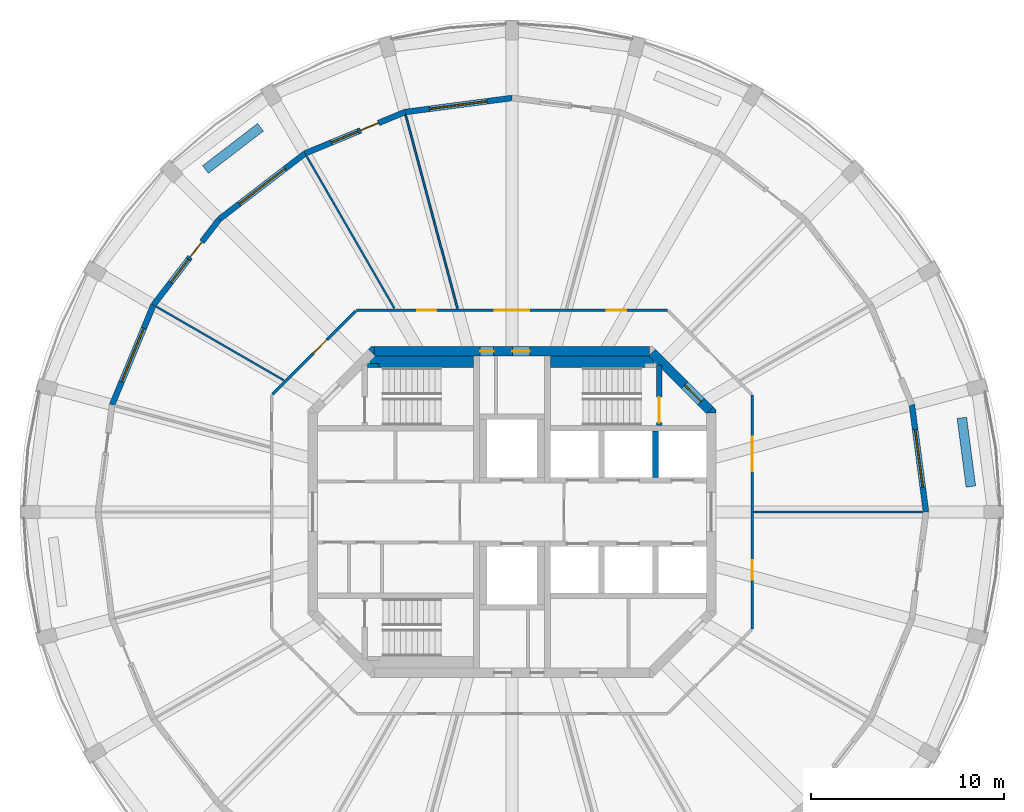
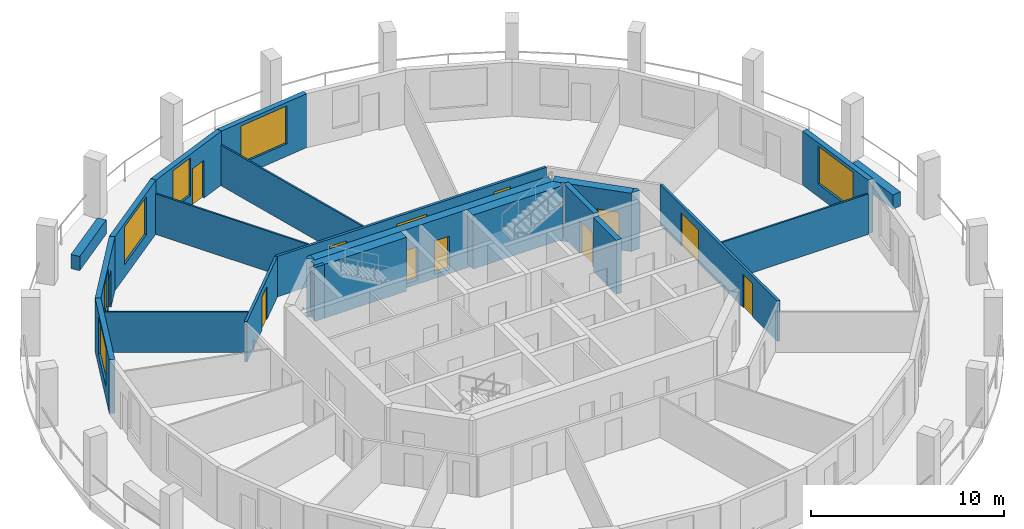
# One storey, part 5 of 8: 24 walls, 12 doors, 6 windows, 18 openings.
"""IFC4 building model written with IfcOpenShell, lengths in metres."""

from ifc_helpers import new_model, si_unit, direction, frame, frame_2d, origin, place, context, subcontext, project, spatial, polyline, rectangle, outline, extrude, material, layer, layer_set, type_object, element, fill, save


model = new_model("IFC4")

# Units and contexts
model_context = context("Model", 3, precision=1e-05, world=origin(), true_north=direction((0.0, 1.0)))
body_context = subcontext(model_context, "Body", "Model", "MODEL_VIEW")
ifc_project = project(units=[si_unit("LENGTHUNIT", "METRE"), si_unit("AREAUNIT", "SQUARE_METRE"), si_unit("VOLUMEUNIT", "CUBIC_METRE"), si_unit("PLANEANGLEUNIT", "RADIAN"), si_unit("MASSUNIT", "GRAM", prefix="KILO")], contexts=[model_context])

# Site, building, storey
site_placement = place(None, origin())
site = spatial("IfcSite", under=ifc_project, at=site_placement, CompositionType="ELEMENT")
building_placement = place(site_placement, origin())
building = spatial("IfcBuilding", under=site, at=building_placement, Name="Torre Triforio", CompositionType="ELEMENT")
storey_placement = place(building_placement, frame((0.0, 0.0, 283.39990234375)))
storey = spatial("IfcBuildingStorey", under=building, at=storey_placement, Name="L65", CompositionType="ELEMENT", Elevation=283.39990234375)

# Wall, openings, doors
ifc_material_1 = material(Name="Concrete C40", Category="concrete")
ifc_layer_1 = layer(ifc_material_1, 0.5)
ifc_layer_set_1 = layer_set([ifc_layer_1], Name="Concrete C40")
wall_type_1 = type_object("IfcWallType", Name="Core wall 500 mm C40 EI 120", PredefinedType="SHEAR", material=ifc_layer_set_1)
wall_1_placement = place(storey_placement, frame((-7.1298828125, 8.35009765625, -0.27978515625), z_axis=(0.0, 0.0, 1.0), x_axis=(1.0, 0.0, 0.0)))
wall_1 = element("IfcWall", 1, at=wall_1_placement, inside=storey, type_object=wall_type_1, Name="Core wall", PredefinedType="SHEAR", context=body_context, shape_type="SweptSolid", body=[
    extrude(rectangle(XDim=14.259765625, YDim=0.5, at=frame_2d((7.1298828125, 0.0))), origin(), (0.0, 0.0, 1.0), 3.699951171875),
])
opening_1_placement = place(wall_1_placement, frame((5.47998046875, 0.0, 0.280029296875)))
opening_1 = element("IfcOpeningElement", 2, at=opening_1_placement, cuts=wall_1, Name="Opening RISER-N", PredefinedType="OPENING", context=body_context, shape_type="SweptSolid", body=[
    extrude(rectangle(XDim=0.699951171875, YDim=2.10009765625, at=frame_2d((0.35009765625, 1.050048828125))), frame((0.0, 0.260009765625, 0.0), z_axis=(0.0, -1.0, 0.0), x_axis=(1.0, 0.0, 0.0)), (0.0, 0.0, 1.0), 0.52001953125),
])
opening_2_placement = place(wall_1_placement, frame((7.155029296875, 0.0, 0.280029296875)))
opening_2 = element("IfcOpeningElement", 3, at=opening_2_placement, cuts=wall_1, Name="Opening NE-01", PredefinedType="OPENING", context=body_context, shape_type="SweptSolid", body=[
    extrude(rectangle(XDim=0.89990234375, YDim=2.10009765625, at=frame_2d((0.449951171875, 1.050048828125))), frame((0.0, 0.260009765625, 0.0), z_axis=(0.0, -1.0, 0.0), x_axis=(1.0, 0.0, 0.0)), (0.0, 0.0, 1.0), 0.52001953125),
])
ifc_material_2 = material(Name="Hollow metal fire door leaf")
door_type_1 = type_object("IfcDoorType", Name="Riser door 700 x 2100 EI 60", OperationType="NOTDEFINED", PredefinedType="DOOR", material=ifc_material_2)
door_1_placement = place(opening_1_placement, origin())
door_1 = element("IfcDoor", 4, at=door_1_placement, inside=storey, type_object=door_type_1, Name="Core door RISER-N", OperationType="SINGLE_SWING_LEFT", OverallHeight=2.10009765625, OverallWidth=0.699951171875, PredefinedType="DOOR", context=body_context, shape_type="SweptSolid", body=[
    extrude(rectangle(XDim=0.699951171875, YDim=2.10009765625, at=frame_2d((0.35009765625, 1.050048828125))), frame((0.0, 0.02490234375, 0.0), z_axis=(0.0, -1.0, 0.0), x_axis=(1.0, 0.0, 0.0)), (0.0, 0.0, 1.0), 0.050048828125),
])
fill(opening_1, door_1)
door_type_2 = type_object("IfcDoorType", Name="Room door 900 x 2100 EI 60", OperationType="NOTDEFINED", PredefinedType="DOOR", material=ifc_material_2)
door_2_placement = place(opening_2_placement, origin())
door_2 = element("IfcDoor", 5, at=door_2_placement, inside=storey, type_object=door_type_2, Name="Core door NE-01", OperationType="SINGLE_SWING_RIGHT", OverallHeight=2.10009765625, OverallWidth=0.89990234375, PredefinedType="DOOR", context=body_context, shape_type="SweptSolid", body=[
    extrude(rectangle(XDim=0.89990234375, YDim=2.10009765625, at=frame_2d((0.449951171875, 1.050048828125))), frame((0.0, 0.02490234375, 0.0), z_axis=(0.0, -1.0, 0.0), x_axis=(1.0, 0.0, 0.0)), (0.0, 0.0, 1.0), 0.050048828125),
])
fill(opening_2, door_2)

# Wall, opening, door
wall_2_placement = place(storey_placement, frame((7.27685546875, 8.27685546875, -0.27978515625), z_axis=(0.0, 0.0, 1.0), x_axis=(0.707106781187, -0.707106781187, 0.0)))
wall_2 = element("IfcWall", 6, at=wall_2_placement, inside=storey, type_object=wall_type_1, Name="Core wall", PredefinedType="SHEAR", context=body_context, shape_type="SweptSolid", body=[
    extrude(rectangle(XDim=4.24267578125, YDim=0.5, at=frame_2d((2.121337890625, 0.0))), origin(), (0.0, 0.0, 1.0), 3.699951171875),
])
opening_3_placement = place(wall_2_placement, frame((2.392578125, 0.0, 0.280029296875)))
opening_3 = element("IfcOpeningElement", 7, at=opening_3_placement, cuts=wall_2, Name="Opening ST2-EXIT", PredefinedType="OPENING", context=body_context, shape_type="SweptSolid", body=[
    extrude(rectangle(XDim=1.199951171875, YDim=2.10009765625, at=frame_2d((0.60009765625, 1.050048828125))), frame((0.0, 0.260009765625, 0.0), z_axis=(0.0, -1.0, 0.0), x_axis=(1.0, 0.0, 0.0)), (0.0, 0.0, 1.0), 0.52001953125),
])
door_type_3 = type_object("IfcDoorType", Name="Stair lobby door 1200 x 2100 EI 60", OperationType="NOTDEFINED", PredefinedType="DOOR", material=ifc_material_2)
door_3_placement = place(opening_3_placement, origin())
door_3 = element("IfcDoor", 8, at=door_3_placement, inside=storey, type_object=door_type_3, Name="Core door ST2-EXIT", OperationType="SINGLE_SWING_RIGHT", OverallHeight=2.10009765625, OverallWidth=1.199951171875, PredefinedType="DOOR", context=body_context, shape_type="SweptSolid", body=[
    extrude(rectangle(XDim=1.199951171875, YDim=2.10009765625, at=frame_2d((0.60009765625, 1.050048828125))), frame((0.0, 0.02490234375, 0.0), z_axis=(0.0, -1.0, 0.0), x_axis=(1.0, 0.0, 0.0)), (0.0, 0.0, 1.0), 0.050048828125),
])
fill(opening_3, door_3)

# Walls
wall_3_placement = place(storey_placement, frame((0.0, 0.0, -0.27978515625)))
element("IfcWall", 9, at=wall_3_placement, inside=storey, type_object=wall_type_1, Name="Core wall", PredefinedType="SHEAR", context=body_context, shape_type="SweptSolid", body=[
    extrude(outline(polyline([(10.60009765625, 5.30712890625), (10.60009765625, 5.1298828125), (10.1298828125, 5.1298828125), (10.45361328125, 5.45361328125), (10.60009765625, 5.30712890625)])), origin(), (0.0, 0.0, 1.0), 3.699951171875),
])
wall_4_placement = place(storey_placement, frame((0.0, 0.0, -0.27978515625)))
element("IfcWall", 10, at=wall_4_placement, inside=storey, type_object=wall_type_1, Name="Core wall", PredefinedType="SHEAR", context=body_context, shape_type="SweptSolid", body=[
    extrude(outline(polyline([(-7.30712890625, 8.60009765625), (-7.1298828125, 8.60009765625), (-7.1298828125, 8.1298828125), (-7.45361328125, 8.45361328125), (-7.30712890625, 8.60009765625)])), origin(), (0.0, 0.0, 1.0), 3.699951171875),
])

# Wall, opening, door
ifc_material_3 = material(Name="Plasterboard on metal studs")
ifc_layer_2 = layer(ifc_material_3, 0.14990234375)
ifc_layer_set_2 = layer_set([ifc_layer_2], Name="Plasterboard on metal studs")
wall_type_2 = type_object("IfcWallType", Name="Corridor and tenancy wall 150 mm EI 60", PredefinedType="PARTITIONING", material=ifc_layer_set_2)
wall_5_placement = place(storey_placement, frame((-12.43798828125, 6.120849609375, 0.0), z_axis=(0.0, 0.0, 1.0), x_axis=(0.707106781187, 0.707106781187, 0.0)))
wall_5 = element("IfcWall", 11, at=wall_5_placement, inside=storey, type_object=wall_type_2, Name="Partition 5", PredefinedType="PARTITIONING", context=body_context, shape_type="SweptSolid", body=[
    extrude(rectangle(XDim=6.10546875, YDim=0.14990234375, at=frame_2d((3.052734375, 0.0))), origin(), (0.0, 0.0, 1.0), 2.570068359375),
])
opening_4_placement = place(wall_5_placement, frame((3.001953125, 0.0, 0.0)))
opening_4 = element("IfcOpeningElement", 12, at=opening_4_placement, cuts=wall_5, Name="Opening X1-08", PredefinedType="OPENING", context=body_context, shape_type="SweptSolid", body=[
    extrude(rectangle(XDim=1.0, YDim=2.10009765625, at=frame_2d((0.5, 1.050048828125))), frame((0.0, 0.0849609375, 0.0), z_axis=(0.0, -1.0, 0.0), x_axis=(1.0, 0.0, 0.0)), (0.0, 0.0, 1.0), 0.169921875),
])
ifc_material_4 = material(Name="Timber", Category="wood")
door_type_4 = type_object("IfcDoorType", Name="Door 1000 x 2100 single leaf EI 30", OperationType="NOTDEFINED", PredefinedType="DOOR", material=ifc_material_4)
door_4_placement = place(opening_4_placement, origin())
door_4 = element("IfcDoor", 13, at=door_4_placement, inside=storey, type_object=door_type_4, Name="Door X1-08", OperationType="SINGLE_SWING_LEFT", OverallHeight=2.10009765625, OverallWidth=1.0, PredefinedType="DOOR", context=body_context, shape_type="SweptSolid", body=[
    extrude(rectangle(XDim=1.0, YDim=2.10009765625, at=frame_2d((0.5, 1.050048828125))), frame((0.0, 0.02490234375, 0.0), z_axis=(0.0, -1.0, 0.0), x_axis=(1.0, 0.0, 0.0)), (0.0, 0.0, 1.0), 0.050048828125),
])
fill(opening_4, door_4)

# Wall, openings, doors
wall_6_placement = place(storey_placement, frame((-8.083740234375, 10.47509765625, 0.0), z_axis=(0.0, 0.0, 1.0), x_axis=(1.0, 0.0, 0.0)))
wall_6 = element("IfcWall", 14, at=wall_6_placement, inside=storey, type_object=wall_type_2, Name="Partition 6", PredefinedType="PARTITIONING", context=body_context, shape_type="SweptSolid", body=[
    extrude(rectangle(XDim=16.16748046875, YDim=0.14990234375, at=frame_2d((8.083740234375, 0.0))), origin(), (0.0, 0.0, 1.0), 2.570068359375),
])
opening_5_placement = place(wall_6_placement, frame((13.00390625, 0.0, 0.0)))
opening_5 = element("IfcOpeningElement", 15, at=opening_5_placement, cuts=wall_6, Name="Opening X1-05", PredefinedType="OPENING", context=body_context, shape_type="SweptSolid", body=[
    extrude(rectangle(XDim=1.0, YDim=2.10009765625, at=frame_2d((0.5, 1.050048828125))), frame((0.0, 0.0849609375, 0.0), z_axis=(0.0, -1.0, 0.0), x_axis=(1.0, 0.0, 0.0)), (0.0, 0.0, 1.0), 0.169921875),
])
opening_6_placement = place(wall_6_placement, frame((7.183837890625, 0.0, 0.0)))
opening_6 = element("IfcOpeningElement", 16, at=opening_6_placement, cuts=wall_6, Name="Opening X1-06", PredefinedType="OPENING", context=body_context, shape_type="SweptSolid", body=[
    extrude(rectangle(XDim=1.800048828125, YDim=2.10009765625, at=frame_2d((0.89990234375, 1.050048828125))), frame((0.0, 0.0849609375, 0.0), z_axis=(0.0, -1.0, 0.0), x_axis=(1.0, 0.0, 0.0)), (0.0, 0.0, 1.0), 0.169921875),
])
opening_7_placement = place(wall_6_placement, frame((3.152587890625, 0.0, 0.0)))
opening_7 = element("IfcOpeningElement", 17, at=opening_7_placement, cuts=wall_6, Name="Opening X1-07", PredefinedType="OPENING", context=body_context, shape_type="SweptSolid", body=[
    extrude(rectangle(XDim=1.0, YDim=2.10009765625, at=frame_2d((0.5, 1.050048828125))), frame((0.0, 0.0849609375, 0.0), z_axis=(0.0, -1.0, 0.0), x_axis=(1.0, 0.0, 0.0)), (0.0, 0.0, 1.0), 0.169921875),
])
door_5_placement = place(opening_5_placement, origin())
door_5 = element("IfcDoor", 18, at=door_5_placement, inside=storey, type_object=door_type_4, Name="Door X1-05", OperationType="SINGLE_SWING_LEFT", OverallHeight=2.10009765625, OverallWidth=1.0, PredefinedType="DOOR", context=body_context, shape_type="SweptSolid", body=[
    extrude(rectangle(XDim=1.0, YDim=2.10009765625, at=frame_2d((0.5, 1.050048828125))), frame((0.0, 0.02490234375, 0.0), z_axis=(0.0, -1.0, 0.0), x_axis=(1.0, 0.0, 0.0)), (0.0, 0.0, 1.0), 0.050048828125),
])
fill(opening_5, door_5)
door_6_placement = place(opening_7_placement, origin())
door_6 = element("IfcDoor", 19, at=door_6_placement, inside=storey, type_object=door_type_4, Name="Door X1-07", OperationType="SINGLE_SWING_LEFT", OverallHeight=2.10009765625, OverallWidth=1.0, PredefinedType="DOOR", context=body_context, shape_type="SweptSolid", body=[
    extrude(rectangle(XDim=1.0, YDim=2.10009765625, at=frame_2d((0.5, 1.050048828125))), frame((0.0, 0.02490234375, 0.0), z_axis=(0.0, -1.0, 0.0), x_axis=(1.0, 0.0, 0.0)), (0.0, 0.0, 1.0), 0.050048828125),
])
fill(opening_7, door_6)
door_type_5 = type_object("IfcDoorType", Name="Door 1800 x 2100 double leaf EI 30", OperationType="DOUBLE_DOOR_SINGLE_SWING", PredefinedType="DOOR", material=ifc_material_4)
door_7_placement = place(opening_6_placement, origin())
door_7 = element("IfcDoor", 20, at=door_7_placement, inside=storey, type_object=door_type_5, Name="Door X1-06", OperationType="DOUBLE_DOOR_SINGLE_SWING", OverallHeight=2.10009765625, OverallWidth=1.800048828125, PredefinedType="DOOR", context=body_context, shape_type="SweptSolid", body=[
    extrude(rectangle(XDim=1.800048828125, YDim=2.10009765625, at=frame_2d((0.89990234375, 1.050048828125))), frame((0.0, 0.02490234375, 0.0), z_axis=(0.0, -1.0, 0.0), x_axis=(1.0, 0.0, 0.0)), (0.0, 0.0, 1.0), 0.050048828125),
])
fill(opening_6, door_7)

wall_7_placement = place(storey_placement, frame((12.47509765625, 6.083740234375, 0.0), z_axis=(0.0, 0.0, 1.0), x_axis=(0.0, -1.0, 0.0)))
wall_7 = element("IfcWall", 21, at=wall_7_placement, inside=storey, type_object=wall_type_2, Name="Partition 8", PredefinedType="PARTITIONING", context=body_context, shape_type="SweptSolid", body=[
    extrude(rectangle(XDim=12.16748046875, YDim=0.14990234375, at=frame_2d((6.083740234375, 0.0))), origin(), (0.0, 0.0, 1.0), 2.570068359375),
])
opening_8_placement = place(wall_7_placement, frame((8.6005859375, 0.0, 0.0)))
opening_8 = element("IfcOpeningElement", 22, at=opening_8_placement, cuts=wall_7, Name="Opening X1-02", PredefinedType="OPENING", context=body_context, shape_type="SweptSolid", body=[
    extrude(rectangle(XDim=1.0, YDim=2.10009765625, at=frame_2d((0.5, 1.050048828125))), frame((0.0, 0.0849609375, 0.0), z_axis=(0.0, -1.0, 0.0), x_axis=(1.0, 0.0, 0.0)), (0.0, 0.0, 1.0), 0.169921875),
])
opening_9_placement = place(wall_7_placement, frame((2.1669921875, 0.0, 0.0)))
opening_9 = element("IfcOpeningElement", 23, at=opening_9_placement, cuts=wall_7, Name="Opening X1-03", PredefinedType="OPENING", context=body_context, shape_type="SweptSolid", body=[
    extrude(rectangle(XDim=1.800048828125, YDim=2.10009765625, at=frame_2d((0.89990234375, 1.050048828125))), frame((0.0, 0.0849609375, 0.0), z_axis=(0.0, -1.0, 0.0), x_axis=(1.0, 0.0, 0.0)), (0.0, 0.0, 1.0), 0.169921875),
])
door_8_placement = place(opening_8_placement, origin())
door_8 = element("IfcDoor", 24, at=door_8_placement, inside=storey, type_object=door_type_4, Name="Door X1-02", OperationType="SINGLE_SWING_LEFT", OverallHeight=2.10009765625, OverallWidth=1.0, PredefinedType="DOOR", context=body_context, shape_type="SweptSolid", body=[
    extrude(rectangle(XDim=1.0, YDim=2.10009765625, at=frame_2d((0.5, 1.050048828125))), frame((0.0, 0.02490234375, 0.0), z_axis=(0.0, -1.0, 0.0), x_axis=(1.0, 0.0, 0.0)), (0.0, 0.0, 1.0), 0.050048828125),
])
fill(opening_8, door_8)
door_9_placement = place(opening_9_placement, origin())
door_9 = element("IfcDoor", 25, at=door_9_placement, inside=storey, type_object=door_type_5, Name="Door X1-03", OperationType="DOUBLE_DOOR_SINGLE_SWING", OverallHeight=2.10009765625, OverallWidth=1.800048828125, PredefinedType="DOOR", context=body_context, shape_type="SweptSolid", body=[
    extrude(rectangle(XDim=1.800048828125, YDim=2.10009765625, at=frame_2d((0.89990234375, 1.050048828125))), frame((0.0, 0.02490234375, 0.0), z_axis=(0.0, -1.0, 0.0), x_axis=(1.0, 0.0, 0.0)), (0.0, 0.0, 1.0), 0.050048828125),
])
fill(opening_9, door_9)

# Walls
ifc_layer_3 = layer(ifc_material_3, 0.10009765625)
ifc_layer_set_3 = layer_set([ifc_layer_3], Name="Plasterboard on metal studs")
wall_type_3 = type_object("IfcWallType", Name="Partition 100 mm board on metal studs", PredefinedType="PARTITIONING", material=ifc_layer_set_3)
wall_8_placement = place(storey_placement, frame((12.550048828125, 0.0, 0.0), z_axis=(0.0, 0.0, 1.0), x_axis=(1.0, 0.0, 0.0)))
element("IfcWall", 26, at=wall_8_placement, inside=storey, type_object=wall_type_3, Name="Partition 9", PredefinedType="PARTITIONING", context=body_context, shape_type="SweptSolid", body=[
    extrude(rectangle(XDim=8.78662109375, YDim=0.10009765625, at=frame_2d((4.393310546875, 0.0))), origin(), (0.0, 0.0, 1.0), 2.570068359375),
])
wall_9_placement = place(storey_placement, frame((-2.830810546875, 10.564208984375, 0.0), z_axis=(0.0, 0.0, 1.0), x_axis=(-0.258796321138, 0.965931914871, 0.0)))
element("IfcWall", 27, at=wall_9_placement, inside=storey, type_object=wall_type_3, Name="Partition 13", PredefinedType="PARTITIONING", context=body_context, shape_type="SweptSolid", body=[
    extrude(rectangle(XDim=10.399658203125, YDim=0.10009765625, at=frame_2d((5.19970703125, 0.0))), origin(), (0.0, 0.0, 1.0), 2.570068359375),
])
wall_10_placement = place(storey_placement, frame((-6.105224609375, 10.57470703125, 0.0), z_axis=(0.0, 0.0, 1.0), x_axis=(-0.500020406621, 0.866013621696, 0.0)))
element("IfcWall", 28, at=wall_10_placement, inside=storey, type_object=wall_type_3, Name="Partition 14", PredefinedType="PARTITIONING", context=body_context, shape_type="SweptSolid", body=[
    extrude(rectangle(XDim=9.1259765625, YDim=0.10009765625, at=frame_2d((4.56298828125, 0.0))), origin(), (0.0, 0.0, 1.0), 2.570068359375),
])
wall_11_placement = place(storey_placement, frame((-11.845947265625, 6.839111328125, 0.0), z_axis=(0.0, 0.0, 1.0), x_axis=(-0.866007734672, 0.500030602552, 0.0)))
element("IfcWall", 29, at=wall_11_placement, inside=storey, type_object=wall_type_3, Name="Partition 15", PredefinedType="PARTITIONING", context=body_context, shape_type="SweptSolid", body=[
    extrude(rectangle(XDim=7.658203125, YDim=0.10009765625, at=frame_2d((3.8291015625, 0.0))), origin(), (0.0, 0.0, 1.0), 2.570068359375),
])
ifc_material_5 = material(Name="Limestone cladding", Category="masonry")
ifc_layer_4 = layer(ifc_material_5, 0.10009765625)
ifc_layer_5 = layer(ifc_material_1, 0.39990234375)
ifc_layer_set_4 = layer_set([ifc_layer_4, ifc_layer_5], Name="Limestone cladding / Concrete C40")
wall_type_4 = type_object("IfcWallType", Name="Planter wall 500", PredefinedType="PARAPET", material=ifc_layer_set_4)
for number, where, z_axis, x_axis, name in (
    (30, (23.831298828125, 1.322021484375, 0.0), (0.0, 0.0, 1.0), (-0.130551000099, 0.991441595039, 0.0), "Planter L65 bay 01"),
    (31, (-13.060546875, 19.9775390625, 0.0), (0.0, 0.0, 1.0), (-0.793326845617, -0.608795955984, 0.0), "Planter L65 bay 09"),
):
    element("IfcWall", number, at=place(storey_placement, frame(where, z_axis=z_axis, x_axis=x_axis)), inside=storey, type_object=wall_type_4, Name=name, PredefinedType="PARAPET", context=body_context, shape_type="SweptSolid", body=[
        extrude(rectangle(XDim=3.599853515625, YDim=0.5, at=frame_2d((1.7998046875, 0.0))), origin(), (0.0, 0.0, 1.0), 0.900146484375),
    ])
ifc_layer_6 = layer(ifc_material_1, 0.300048828125)
ifc_layer_set_5 = layer_set([ifc_layer_6], Name="Concrete C40")
wall_type_5 = type_object("IfcWallType", Name="Shaft wall 300 mm C40 EI 120", PredefinedType="SOLIDWALL", material=ifc_layer_set_5)
wall_12_placement = place(storey_placement, frame((7.449951171875, 1.800048828125, 0.0), z_axis=(0.0, 0.0, 1.0), x_axis=(0.0, 1.0, 0.0)))
element("IfcWall", 32, at=wall_12_placement, inside=storey, type_object=wall_type_5, Name="Shaft wall", PredefinedType="SOLIDWALL", context=body_context, shape_type="SweptSolid", body=[
    extrude(rectangle(XDim=2.39990234375, YDim=0.300048828125, at=frame_2d((1.199951171875, 0.0))), origin(), (0.0, 0.0, 1.0), 3.420166015625),
])
ifc_layer_7 = layer(ifc_material_1, 0.199951171875)
ifc_layer_set_6 = layer_set([ifc_layer_7], Name="Concrete C40")
wall_type_6 = type_object("IfcWallType", Name="Stair wall 200 mm C40 EI 120", PredefinedType="SHEAR", material=ifc_layer_set_6)
wall_13_placement = place(storey_placement, frame((-7.5, 7.60009765625, 0.0), z_axis=(0.0, 0.0, 1.0), x_axis=(1.0, 0.0, 0.0)))
element("IfcWall", 33, at=wall_13_placement, inside=storey, type_object=wall_type_6, Name="Stair wall", PredefinedType="SHEAR", context=body_context, shape_type="SweptSolid", body=[
    extrude(rectangle(XDim=0.60009765625, YDim=0.199951171875, at=frame_2d((0.300048828125, 0.0))), origin(), (0.0, 0.0, 1.0), 3.420166015625),
])

# Wall, opening, door
ifc_layer_8 = layer(ifc_material_1, 0.300048828125)
ifc_layer_set_7 = layer_set([ifc_layer_8], Name="Concrete C40")
wall_type_7 = type_object("IfcWallType", Name="Stair wall 300 mm C40 EI 120", PredefinedType="SHEAR", material=ifc_layer_set_7)
wall_14_placement = place(storey_placement, frame((7.64990234375, 4.5, 0.0), z_axis=(0.0, 0.0, 1.0), x_axis=(0.0, 1.0, 0.0)))
wall_14 = element("IfcWall", 34, at=wall_14_placement, inside=storey, type_object=wall_type_7, Name="Stair wall", PredefinedType="SHEAR", context=body_context, shape_type="SweptSolid", body=[
    extrude(rectangle(XDim=3.139892578125, YDim=0.300048828125, at=frame_2d((1.56982421875, 0.0))), origin(), (0.0, 0.0, 1.0), 3.420166015625),
])
opening_10_placement = place(wall_14_placement, frame((0.139892578125, 0.0, 0.0)))
opening_10 = element("IfcOpeningElement", 35, at=opening_10_placement, cuts=wall_14, Name="Opening ST2-STA", PredefinedType="OPENING", context=body_context, shape_type="SweptSolid", body=[
    extrude(rectangle(XDim=1.320068359375, YDim=2.10009765625, at=frame_2d((0.66015625, 1.050048828125))), frame((0.0, 0.159912109375, 0.0), z_axis=(0.0, -1.0, 0.0), x_axis=(1.0, 0.0, 0.0)), (0.0, 0.0, 1.0), 0.320068359375),
])
door_type_6 = type_object("IfcDoorType", Name="Stair door 1320 x 2100 EI 90", OperationType="DOUBLE_DOOR_SINGLE_SWING", PredefinedType="DOOR", material=ifc_material_2)
door_10_placement = place(opening_10_placement, origin())
door_10 = element("IfcDoor", 36, at=door_10_placement, inside=storey, type_object=door_type_6, Name="Core door ST2-ST", OperationType="DOUBLE_DOOR_SINGLE_SWING", OverallHeight=2.10009765625, OverallWidth=1.320068359375, PredefinedType="DOOR", context=body_context, shape_type="SweptSolid", body=[
    extrude(rectangle(XDim=1.320068359375, YDim=2.10009765625, at=frame_2d((0.66015625, 1.050048828125))), frame((0.0, 0.02490234375, 0.0), z_axis=(0.0, -1.0, 0.0), x_axis=(1.0, 0.0, 0.0)), (0.0, 0.0, 1.0), 0.050048828125),
])
fill(opening_10, door_10)

# Walls
ifc_layer_9 = layer(ifc_material_1, 0.60009765625)
ifc_layer_set_8 = layer_set([ifc_layer_9], Name="Concrete C40")
wall_type_8 = type_object("IfcWallType", Name="Stair wall 600 mm C40 EI 120", PredefinedType="SHEAR", material=ifc_layer_set_8)
for number, where, z_axis, x_axis, name in (
    (37, (-7.3701171875, 7.800048828125, 0.0), (0.0, 0.0, 1.0), (1.0, 0.0, 0.0), "Stair wall"),
    (38, (2.0, 7.800048828125, 0.0), (0.0, 0.0, 1.0), (1.0, 0.0, 0.0), "Stair wall"),
):
    element("IfcWall", number, at=place(storey_placement, frame(where, z_axis=z_axis, x_axis=x_axis)), inside=storey, type_object=wall_type_8, Name=name, PredefinedType="SHEAR", context=body_context, shape_type="SweptSolid", body=[
        extrude(rectangle(XDim=5.3701171875, YDim=0.60009765625, at=frame_2d((2.68505859375, 0.0))), origin(), (0.0, 0.0, 1.0), 3.420166015625),
    ])

# Wall, opening, window
ifc_layer_10 = layer(ifc_material_5, 0.10009765625)
ifc_layer_11 = layer(ifc_material_1, 0.199951171875)
ifc_layer_set_9 = layer_set([ifc_layer_10, ifc_layer_11], Name="Limestone cladding / Concrete C40")
wall_type_9 = type_object("IfcWallType", Name="Stone-faced composite wall 300", PredefinedType="STANDARD", material=ifc_layer_set_9)
wall_15_placement = place(storey_placement, frame((21.5, 0.0, 0.0), z_axis=(0.0, 0.0, 1.0), x_axis=(-0.130536651449, 0.991443484334, 0.0)))
wall_15 = element("IfcWall", 39, at=wall_15_placement, inside=storey, type_object=wall_type_9, Name="External wall L65 bay 01", PredefinedType="STANDARD", context=body_context, shape_type="SweptSolid", body=[
    extrude(rectangle(XDim=5.61279296875, YDim=0.300048828125, at=frame_2d((2.806396484375, 0.0))), origin(), (0.0, 0.0, 1.0), 3.420166015625),
])
opening_11_placement = place(wall_15_placement, frame((1.306396484375, 0.0, 0.800048828125)))
opening_11 = element("IfcOpeningElement", 40, at=opening_11_placement, cuts=wall_15, Name="Opening X1-W01", PredefinedType="OPENING", context=body_context, shape_type="SweptSolid", body=[
    extrude(rectangle(XDim=3.0, YDim=2.39990234375, at=frame_2d((1.5, 1.199951171875))), frame((0.0, 0.159912109375, 0.0), z_axis=(0.0, -1.0, 0.0), x_axis=(1.0, 0.0, 0.0)), (0.0, 0.0, 1.0), 0.320068359375),
])
ifc_material_6 = material(Name="Aluminium frame with clear double glazing", Category="aluminium")
window_type_1 = type_object("IfcWindowType", Name="Punched window 3000 x 2400", PartitioningType="DOUBLE_PANEL_VERTICAL", PredefinedType="WINDOW", material=ifc_material_6)
window_1_placement = place(opening_11_placement, origin())
window_1 = element("IfcWindow", 41, at=window_1_placement, inside=storey, type_object=window_type_1, Name="Window EWN6 L65 bay 01", OverallHeight=2.39990234375, OverallWidth=3.0, PartitioningType="SINGLE_PANEL", PredefinedType="WINDOW", context=body_context, shape_type="SweptSolid", body=[
    extrude(rectangle(XDim=3.0, YDim=2.39990234375, at=frame_2d((1.5, 1.199951171875))), frame((0.0, 0.030029296875, 0.0), z_axis=(0.0, -1.0, 0.0), x_axis=(1.0, 0.0, 0.0)), (0.0, 0.0, 1.0), 0.06005859375),
])
fill(opening_11, window_1)

wall_16_placement = place(storey_placement, frame((0.0, 21.5, 0.0), z_axis=(0.0, 0.0, 1.0), x_axis=(-0.991443484334, -0.130536651449, 0.0)))
wall_16 = element("IfcWall", 42, at=wall_16_placement, inside=storey, type_object=wall_type_9, Name="External wall L65 bay 07", PredefinedType="STANDARD", context=body_context, shape_type="SweptSolid", body=[
    extrude(rectangle(XDim=5.61279296875, YDim=0.300048828125, at=frame_2d((2.806396484375, 0.0))), origin(), (0.0, 0.0, 1.0), 3.420166015625),
])
opening_12_placement = place(wall_16_placement, frame((1.306396484375, 0.0, 0.800048828125)))
opening_12 = element("IfcOpeningElement", 43, at=opening_12_placement, cuts=wall_16, Name="Opening X1-W07", PredefinedType="OPENING", context=body_context, shape_type="SweptSolid", body=[
    extrude(rectangle(XDim=3.0, YDim=2.39990234375, at=frame_2d((1.5, 1.199951171875))), frame((0.0, 0.159912109375, 0.0), z_axis=(0.0, -1.0, 0.0), x_axis=(1.0, 0.0, 0.0)), (0.0, 0.0, 1.0), 0.320068359375),
])
window_2_placement = place(opening_12_placement, origin())
window_2 = element("IfcWindow", 44, at=window_2_placement, inside=storey, type_object=window_type_1, Name="Window EWN6 L65 bay 07", OverallHeight=2.39990234375, OverallWidth=3.0, PartitioningType="SINGLE_PANEL", PredefinedType="WINDOW", context=body_context, shape_type="SweptSolid", body=[
    extrude(rectangle(XDim=3.0, YDim=2.39990234375, at=frame_2d((1.5, 1.199951171875))), frame((0.0, 0.030029296875, 0.0), z_axis=(0.0, -1.0, 0.0), x_axis=(1.0, 0.0, 0.0)), (0.0, 0.0, 1.0), 0.06005859375),
])
fill(opening_12, window_2)

# Wall, openings, door, window
wall_17_placement = place(storey_placement, frame((-5.564697265625, 20.767333984375, 0.0), z_axis=(0.0, 0.0, 1.0), x_axis=(-0.92387156362, -0.382702670405, 0.0)))
wall_17 = element("IfcWall", 45, at=wall_17_placement, inside=storey, type_object=wall_type_9, Name="External wall L65 bay 08", PredefinedType="STANDARD", context=body_context, shape_type="SweptSolid", body=[
    extrude(rectangle(XDim=5.612548828125, YDim=0.300048828125, at=frame_2d((2.80615234375, 0.0))), origin(), (0.0, 0.0, 1.0), 3.420166015625),
])
opening_13_placement = place(wall_17_placement, frame((1.481201171875, 0.0, 0.0)))
opening_13 = element("IfcOpeningElement", 46, at=opening_13_placement, cuts=wall_17, Name="Opening X1-D08", PredefinedType="OPENING", context=body_context, shape_type="SweptSolid", body=[
    extrude(rectangle(XDim=1.0, YDim=2.39990234375, at=frame_2d((0.5, 1.199951171875))), frame((0.0, 0.159912109375, 0.0), z_axis=(0.0, -1.0, 0.0), x_axis=(1.0, 0.0, 0.0)), (0.0, 0.0, 1.0), 0.320068359375),
])
opening_14_placement = place(wall_17_placement, frame((2.63134765625, 0.0, 0.800048828125)))
opening_14 = element("IfcOpeningElement", 47, at=opening_14_placement, cuts=wall_17, Name="Opening X1-W08A", PredefinedType="OPENING", context=body_context, shape_type="SweptSolid", body=[
    extrude(rectangle(XDim=1.5, YDim=2.39990234375, at=frame_2d((0.75, 1.199951171875))), frame((0.0, 0.159912109375, 0.0), z_axis=(0.0, -1.0, 0.0), x_axis=(1.0, 0.0, 0.0)), (0.0, 0.0, 1.0), 0.320068359375),
])
door_type_7 = type_object("IfcDoorType", Name="Loggia door 1000 x 2400", OperationType="NOTDEFINED", PredefinedType="DOOR", material=ifc_material_6)
door_11_placement = place(opening_13_placement, origin())
door_11 = element("IfcDoor", 48, at=door_11_placement, inside=storey, type_object=door_type_7, Name="Loggia door L65 bay 08", OperationType="SINGLE_SWING_LEFT", OverallHeight=2.39990234375, OverallWidth=1.0, PredefinedType="DOOR", context=body_context, shape_type="SweptSolid", body=[
    extrude(rectangle(XDim=1.0, YDim=2.39990234375, at=frame_2d((0.5, 1.199951171875))), frame((0.0, 0.02490234375, 0.0), z_axis=(0.0, -1.0, 0.0), x_axis=(1.0, 0.0, 0.0)), (0.0, 0.0, 1.0), 0.050048828125),
])
fill(opening_13, door_11)
window_type_2 = type_object("IfcWindowType", Name="Side window 1500 x 2400", PartitioningType="SINGLE_PANEL", PredefinedType="WINDOW", material=ifc_material_6)
window_3_placement = place(opening_14_placement, origin())
window_3 = element("IfcWindow", 49, at=window_3_placement, inside=storey, type_object=window_type_2, Name="Side window EWN14 L65 bay 08", OverallHeight=2.39990234375, OverallWidth=1.5, PartitioningType="SINGLE_PANEL", PredefinedType="WINDOW", context=body_context, shape_type="SweptSolid", body=[
    extrude(rectangle(XDim=1.5, YDim=2.39990234375, at=frame_2d((0.75, 1.199951171875))), frame((0.0, 0.030029296875, 0.0), z_axis=(0.0, -1.0, 0.0), x_axis=(1.0, 0.0, 0.0)), (0.0, 0.0, 1.0), 0.06005859375),
])
fill(opening_14, window_3)

# Wall, opening, window
wall_18_placement = place(storey_placement, frame((-10.75, 18.619384765625, 0.0), z_axis=(0.0, 0.0, 1.0), x_axis=(-0.793380165925, -0.608726467567, 0.0)))
wall_18 = element("IfcWall", 50, at=wall_18_placement, inside=storey, type_object=wall_type_9, Name="External wall L65 bay 09", PredefinedType="STANDARD", context=body_context, shape_type="SweptSolid", body=[
    extrude(rectangle(XDim=5.612548828125, YDim=0.300048828125, at=frame_2d((2.80615234375, 0.0))), origin(), (0.0, 0.0, 1.0), 3.420166015625),
])
opening_15_placement = place(wall_18_placement, frame((1.306396484375, 0.0, 0.800048828125)))
opening_15 = element("IfcOpeningElement", 51, at=opening_15_placement, cuts=wall_18, Name="Opening X1-W09", PredefinedType="OPENING", context=body_context, shape_type="SweptSolid", body=[
    extrude(rectangle(XDim=3.0, YDim=2.39990234375, at=frame_2d((1.5, 1.199951171875))), frame((0.0, 0.159912109375, 0.0), z_axis=(0.0, -1.0, 0.0), x_axis=(1.0, 0.0, 0.0)), (0.0, 0.0, 1.0), 0.320068359375),
])
window_4_placement = place(opening_15_placement, origin())
window_4 = element("IfcWindow", 52, at=window_4_placement, inside=storey, type_object=window_type_1, Name="Window EWN6 L65 bay 09", OverallHeight=2.39990234375, OverallWidth=3.0, PartitioningType="SINGLE_PANEL", PredefinedType="WINDOW", context=body_context, shape_type="SweptSolid", body=[
    extrude(rectangle(XDim=3.0, YDim=2.39990234375, at=frame_2d((1.5, 1.199951171875))), frame((0.0, 0.030029296875, 0.0), z_axis=(0.0, -1.0, 0.0), x_axis=(1.0, 0.0, 0.0)), (0.0, 0.0, 1.0), 0.06005859375),
])
fill(opening_15, window_4)

# Wall, openings, door, window
wall_19_placement = place(storey_placement, frame((-15.202880859375, 15.202880859375, 0.0), z_axis=(0.0, 0.0, 1.0), x_axis=(-0.608726467567, -0.793380165925, 0.0)))
wall_19 = element("IfcWall", 53, at=wall_19_placement, inside=storey, type_object=wall_type_9, Name="External wall L65 bay 10", PredefinedType="STANDARD", context=body_context, shape_type="SweptSolid", body=[
    extrude(rectangle(XDim=5.612548828125, YDim=0.300048828125, at=frame_2d((2.80615234375, 0.0))), origin(), (0.0, 0.0, 1.0), 3.420166015625),
])
opening_16_placement = place(wall_19_placement, frame((1.481201171875, 0.0, 0.0)))
opening_16 = element("IfcOpeningElement", 54, at=opening_16_placement, cuts=wall_19, Name="Opening X1-D10", PredefinedType="OPENING", context=body_context, shape_type="SweptSolid", body=[
    extrude(rectangle(XDim=1.0, YDim=2.39990234375, at=frame_2d((0.5, 1.199951171875))), frame((0.0, 0.159912109375, 0.0), z_axis=(0.0, -1.0, 0.0), x_axis=(1.0, 0.0, 0.0)), (0.0, 0.0, 1.0), 0.320068359375),
])
opening_17_placement = place(wall_19_placement, frame((2.63134765625, 0.0, 0.800048828125)))
opening_17 = element("IfcOpeningElement", 55, at=opening_17_placement, cuts=wall_19, Name="Opening X1-W10A", PredefinedType="OPENING", context=body_context, shape_type="SweptSolid", body=[
    extrude(rectangle(XDim=1.5, YDim=2.39990234375, at=frame_2d((0.75, 1.199951171875))), frame((0.0, 0.159912109375, 0.0), z_axis=(0.0, -1.0, 0.0), x_axis=(1.0, 0.0, 0.0)), (0.0, 0.0, 1.0), 0.320068359375),
])
door_12_placement = place(opening_16_placement, origin())
door_12 = element("IfcDoor", 56, at=door_12_placement, inside=storey, type_object=door_type_7, Name="Loggia door L65 bay 10", OperationType="SINGLE_SWING_LEFT", OverallHeight=2.39990234375, OverallWidth=1.0, PredefinedType="DOOR", context=body_context, shape_type="SweptSolid", body=[
    extrude(rectangle(XDim=1.0, YDim=2.39990234375, at=frame_2d((0.5, 1.199951171875))), frame((0.0, 0.02490234375, 0.0), z_axis=(0.0, -1.0, 0.0), x_axis=(1.0, 0.0, 0.0)), (0.0, 0.0, 1.0), 0.050048828125),
])
fill(opening_16, door_12)
window_5_placement = place(opening_17_placement, origin())
window_5 = element("IfcWindow", 57, at=window_5_placement, inside=storey, type_object=window_type_2, Name="Side window EWN14 L65 bay 10", OverallHeight=2.39990234375, OverallWidth=1.5, PartitioningType="SINGLE_PANEL", PredefinedType="WINDOW", context=body_context, shape_type="SweptSolid", body=[
    extrude(rectangle(XDim=1.5, YDim=2.39990234375, at=frame_2d((0.75, 1.199951171875))), frame((0.0, 0.030029296875, 0.0), z_axis=(0.0, -1.0, 0.0), x_axis=(1.0, 0.0, 0.0)), (0.0, 0.0, 1.0), 0.06005859375),
])
fill(opening_17, window_5)

# Wall, opening, window
wall_20_placement = place(storey_placement, frame((-18.619384765625, 10.75, 0.0), z_axis=(0.0, 0.0, 1.0), x_axis=(-0.382702670405, -0.92387156362, 0.0)))
wall_20 = element("IfcWall", 58, at=wall_20_placement, inside=storey, type_object=wall_type_9, Name="External wall L65 bay 11", PredefinedType="STANDARD", context=body_context, shape_type="SweptSolid", body=[
    extrude(rectangle(XDim=5.612548828125, YDim=0.300048828125, at=frame_2d((2.80615234375, 0.0))), origin(), (0.0, 0.0, 1.0), 3.420166015625),
])
opening_18_placement = place(wall_20_placement, frame((1.306396484375, 0.0, 0.800048828125)))
opening_18 = element("IfcOpeningElement", 59, at=opening_18_placement, cuts=wall_20, Name="Opening X1-W11", PredefinedType="OPENING", context=body_context, shape_type="SweptSolid", body=[
    extrude(rectangle(XDim=3.0, YDim=2.39990234375, at=frame_2d((1.5, 1.199951171875))), frame((0.0, 0.159912109375, 0.0), z_axis=(0.0, -1.0, 0.0), x_axis=(1.0, 0.0, 0.0)), (0.0, 0.0, 1.0), 0.320068359375),
])
window_6_placement = place(opening_18_placement, origin())
window_6 = element("IfcWindow", 60, at=window_6_placement, inside=storey, type_object=window_type_1, Name="Window EWN6 L65 bay 11", OverallHeight=2.39990234375, OverallWidth=3.0, PartitioningType="SINGLE_PANEL", PredefinedType="WINDOW", context=body_context, shape_type="SweptSolid", body=[
    extrude(rectangle(XDim=3.0, YDim=2.39990234375, at=frame_2d((1.5, 1.199951171875))), frame((0.0, 0.030029296875, 0.0), z_axis=(0.0, -1.0, 0.0), x_axis=(1.0, 0.0, 0.0)), (0.0, 0.0, 1.0), 0.06005859375),
])
fill(opening_18, window_6)

save(model, "model.ifc")
